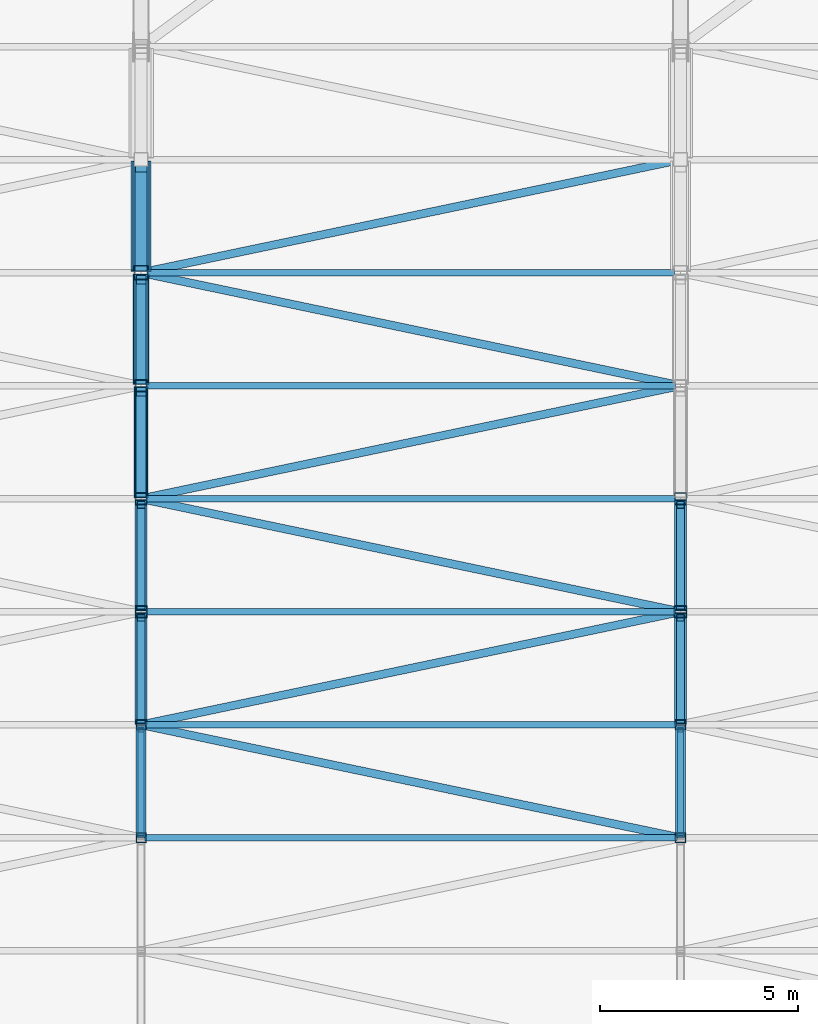
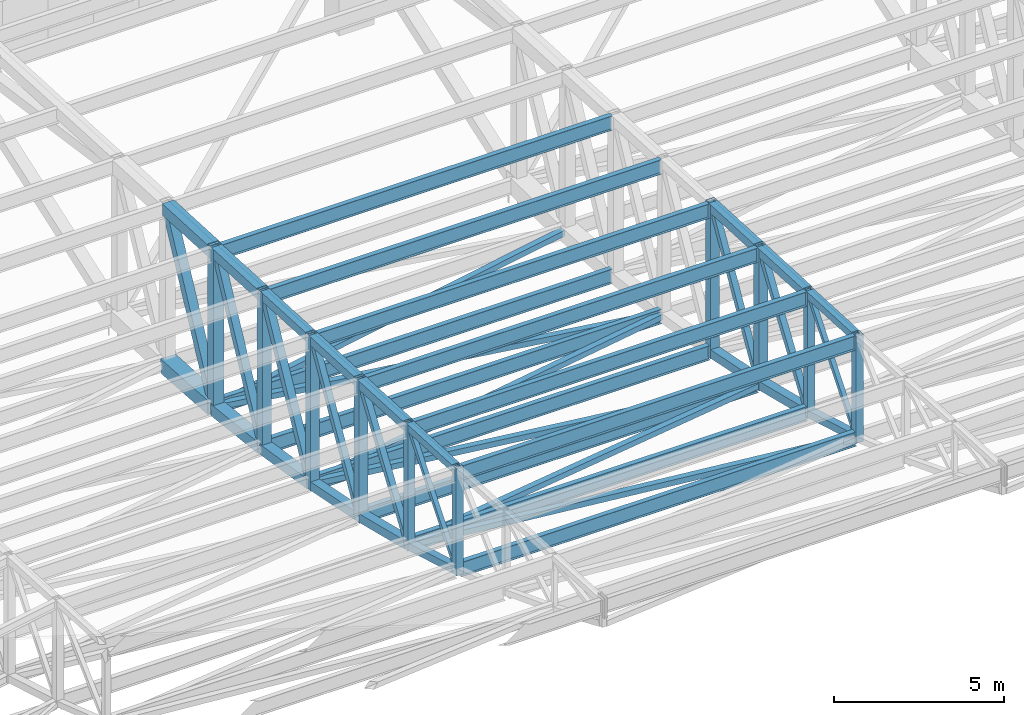
# One storey, part 80 of 278: 28 beams, 27 members.
"""IFC4 building model written with IfcOpenShell, lengths in metres."""

from ifc_helpers import new_model, si_unit, direction, frame, origin, origin_2d, place, context, subcontext, project, spatial, hollow_rectangle, i_section, extrude, material, material_profile, profile_set, type_object, element, save


model = new_model("IFC4")

# Units and contexts
model_context = context("Model", 3, precision=1e-05, world=origin(), true_north=direction((0.0, 1.0)))
body_context = subcontext(model_context, "Body", "Model", "MODEL_VIEW")
ifc_project = project(units=[si_unit("LENGTHUNIT", "METRE"), si_unit("AREAUNIT", "SQUARE_METRE"), si_unit("VOLUMEUNIT", "CUBIC_METRE"), si_unit("PLANEANGLEUNIT", "RADIAN"), si_unit("MASSUNIT", "GRAM", prefix="KILO")], contexts=[model_context])

# Site, building, storey
site_placement = place(None, origin())
site = spatial("IfcSite", under=ifc_project, at=site_placement, CompositionType="ELEMENT")
building_placement = place(site_placement, origin())
building = spatial("IfcBuilding", under=site, at=building_placement, Name="Ogive Plaza Stadium", CompositionType="ELEMENT")
storey_placement = place(building_placement, frame((0.0, 0.0, 29.0)))
storey = spatial("IfcBuildingStorey", under=building, at=storey_placement, Name="Roof", CompositionType="ELEMENT", Elevation=29.0)

# Members
ifc_material_1 = material(Name="Steel ASTM A500 Grade C", Category="steel")
ifc_material_profile_1 = material_profile(ifc_material_1, hollow_rectangle(XDim=0.203125, YDim=0.203125, WallThickness=0.0087890625, at=origin_2d()), Name="HSS8X8X3/8")
ifc_profile_set_1 = profile_set([ifc_material_profile_1], Name="Steel ASTM A500 Grade C")
member_type_1 = type_object("IfcMemberType", Name="Roof plan brace HSS8X8X3/8", PredefinedType="BRACE", material=ifc_profile_set_1)
member_1_placement = place(storey_placement, frame((-6.89306640625, 72.569580078125, 3.269775390625), z_axis=(-0.977081723689, 0.204756162013, -0.058191230868), x_axis=(-0.205103719581, -0.978740243483, 0.0)))
element("IfcMember", 1, at=member_1_placement, inside=storey, type_object=member_type_1, Name="ROOF BRACE B33 4", PredefinedType="BRACE", context=body_context, shape_type="SweptSolid", body=[
    extrude(hollow_rectangle(XDim=0.203125, YDim=0.203125, WallThickness=0.0087890625, at=origin_2d()), origin(), (0.0, 0.0, 1.0), 13.702392578125),
])
member_2_placement = place(storey_placement, frame((-20.281494140625, 75.4248046875, 2.459228515625), z_axis=(0.977474612888, 0.204849020574, -0.05079625901), x_axis=(-0.205113814972, 0.97873812785, 0.0)))
element("IfcMember", 2, at=member_2_placement, inside=storey, type_object=member_type_1, Name="ROOF BRACE B33 5", PredefinedType="BRACE", context=body_context, shape_type="SweptSolid", body=[
    extrude(hollow_rectangle(XDim=0.203125, YDim=0.203125, WallThickness=0.0087890625, at=origin_2d()), origin(), (0.0, 0.0, 1.0), 13.64501953125),
])
member_3_placement = place(storey_placement, frame((-6.94384765625, 78.280029296875, 1.752685546875), z_axis=(-0.977965523229, 0.204948228106, -0.039744926357), x_axis=(-0.205110294312, -0.978738865667, 0.0)))
element("IfcMember", 3, at=member_3_placement, inside=storey, type_object=member_type_1, Name="ROOF BRACE B33 6", PredefinedType="BRACE", context=body_context, shape_type="SweptSolid", body=[
    extrude(hollow_rectangle(XDim=0.203125, YDim=0.203125, WallThickness=0.0087890625, at=origin_2d()), origin(), (0.0, 0.0, 1.0), 13.6123046875),
])
member_4_placement = place(storey_placement, frame((-20.256103515625, 81.130126953125, 1.201416015625), z_axis=(0.978282447902, 0.205014644711, -0.030536004664), x_axis=(-0.205110294312, 0.978738865667, 0.0)))
element("IfcMember", 4, at=member_4_placement, inside=storey, type_object=member_type_1, Name="ROOF BRACE B33 7", PredefinedType="BRACE", context=body_context, shape_type="SweptSolid", body=[
    extrude(hollow_rectangle(XDim=0.203125, YDim=0.203125, WallThickness=0.0087890625, at=origin_2d()), origin(), (0.0, 0.0, 1.0), 13.607666015625),
])
member_5_placement = place(storey_placement, frame((-6.94384765625, 83.980224609375, 0.778564453125), z_axis=(-0.978554365022, 0.205067940633, -0.019454933079), x_axis=(-0.205106760189, -0.978739606292, 0.0)))
element("IfcMember", 5, at=member_5_placement, inside=storey, type_object=member_type_1, Name="ROOF BRACE B33 8", PredefinedType="BRACE", context=body_context, shape_type="SweptSolid", body=[
    extrude(hollow_rectangle(XDim=0.203125, YDim=0.203125, WallThickness=0.0087890625, at=origin_2d()), origin(), (0.0, 0.0, 1.0), 13.578125),
])
member_6_placement = place(storey_placement, frame((-20.230712890625, 86.83544921875, 0.50927734375), z_axis=(0.9786892756, 0.205092509512, -0.010215887981), x_axis=(-0.205103212524, 0.978740349742, 0.0)))
element("IfcMember", 6, at=member_6_placement, inside=storey, type_object=member_type_1, Name="ROOF BRACE B33 9", PredefinedType="BRACE", context=body_context, shape_type="SweptSolid", body=[
    extrude(hollow_rectangle(XDim=0.203125, YDim=0.203125, WallThickness=0.0087890625, at=origin_2d()), origin(), (0.0, 0.0, 1.0), 13.55029296875),
])
ifc_material_2 = material(Name="Steel ASTM A992 Grade 50", Category="steel")
ifc_material_profile_2 = material_profile(ifc_material_2, i_section(OverallWidth=0.1650390625, OverallDepth=0.524658203125, WebThickness=0.0087890625, FlangeThickness=0.011474609375, at=origin_2d()), Name="W21X44")
ifc_profile_set_2 = profile_set([ifc_material_profile_2], Name="Steel ASTM A992 Grade 50")
member_type_2 = type_object("IfcMemberType", Name="Roof plan strut W21X44", PredefinedType="STRUT", material=ifc_profile_set_2)
member_7_placement = place(storey_placement, frame((-20.328369140625, 72.550048828125, 3.275146484375), z_axis=(1.0, 0.0, 0.0), x_axis=(0.0, 1.0, 0.0)))
element("IfcMember", 7, at=member_7_placement, inside=storey, type_object=member_type_2, Name="ROOF STRUT B33 3", PredefinedType="STRUT", context=body_context, shape_type="SweptSolid", body=[
    extrude(i_section(OverallWidth=0.1650390625, OverallDepth=0.524658203125, WebThickness=0.0087890625, FlangeThickness=0.011474609375, at=origin_2d()), origin(), (0.0, 0.0, 1.0), 13.456787109375),
])
member_8_placement = place(storey_placement, frame((-20.302978515625, 75.39990234375, 2.46533203125), z_axis=(1.0, 0.0, 0.0), x_axis=(0.0, 1.0, 0.0)))
element("IfcMember", 8, at=member_8_placement, inside=storey, type_object=member_type_2, Name="ROOF STRUT B33 4", PredefinedType="STRUT", context=body_context, shape_type="SweptSolid", body=[
    extrude(i_section(OverallWidth=0.1650390625, OverallDepth=0.524658203125, WebThickness=0.0087890625, FlangeThickness=0.011474609375, at=origin_2d()), origin(), (0.0, 0.0, 1.0), 13.406005859375),
])
for number, where, z_axis, x_axis, name in (
    (9, (-20.277587890625, 78.25, 1.758544921875), (1.0, 0.0, 0.0), (0.0, 1.0, 0.0), "ROOF STRUT B33 5"),
    (10, (-20.277587890625, 81.10009765625, 1.205810546875), (1.0, 0.0, 0.0), (0.0, 1.0, 0.0), "ROOF STRUT B33 6"),
    (11, (-20.277587890625, 83.949951171875, 0.781494140625), (1.0, 0.0, 0.0), (0.0, 1.0, 0.0), "ROOF STRUT B33 7"),
):
    element("IfcMember", number, at=place(storey_placement, frame(where, z_axis=z_axis, x_axis=x_axis)), inside=storey, type_object=member_type_2, Name=name, PredefinedType="STRUT", context=body_context, shape_type="SweptSolid", body=[
        extrude(i_section(OverallWidth=0.1650390625, OverallDepth=0.524658203125, WebThickness=0.0087890625, FlangeThickness=0.011474609375, at=origin_2d()), origin(), (0.0, 0.0, 1.0), 13.355224609375),
    ])
member_9_placement = place(storey_placement, frame((-20.252197265625, 86.800048828125, 0.510986328125), z_axis=(1.0, 0.0, 0.0), x_axis=(0.0, 1.0, 0.0)))
element("IfcMember", 12, at=member_9_placement, inside=storey, type_object=member_type_2, Name="ROOF STRUT B33 8", PredefinedType="STRUT", context=body_context, shape_type="SweptSolid", body=[
    extrude(i_section(OverallWidth=0.1650390625, OverallDepth=0.524658203125, WebThickness=0.0087890625, FlangeThickness=0.011474609375, at=origin_2d()), origin(), (0.0, 0.0, 1.0), 13.304443359375),
])
ifc_material_3 = material(Name="Steel ASTM A992 Grade 50", Category="steel")
ifc_material_profile_3 = material_profile(ifc_material_3, i_section(OverallWidth=0.1650390625, OverallDepth=0.524658203125, WebThickness=0.0087890625, FlangeThickness=0.011474609375, at=origin_2d()), Name="W21X44")
ifc_profile_set_3 = profile_set([ifc_material_profile_3], Name="Steel ASTM A992 Grade 50")
member_type_3 = type_object("IfcMemberType", Name="Roof purlin W21X44", PredefinedType="PURLIN", material=ifc_profile_set_3)
member_10_placement = place(storey_placement, frame((-20.328369140625, 72.550048828125, 6.735107421875), z_axis=(1.0, 0.0, 0.0), x_axis=(0.0, 1.0, 0.0)))
element("IfcMember", 13, at=member_10_placement, inside=storey, type_object=member_type_3, Name="ROOF PURLIN B33 3", PredefinedType="PURLIN", context=body_context, shape_type="SweptSolid", body=[
    extrude(i_section(OverallWidth=0.1650390625, OverallDepth=0.524658203125, WebThickness=0.0087890625, FlangeThickness=0.011474609375, at=origin_2d()), origin(), (0.0, 0.0, 1.0), 13.456787109375),
])
member_11_placement = place(storey_placement, frame((-20.302978515625, 75.39990234375, 6.592529296875), z_axis=(1.0, 0.0, 0.0), x_axis=(0.0, 1.0, 0.0)))
element("IfcMember", 14, at=member_11_placement, inside=storey, type_object=member_type_3, Name="ROOF PURLIN B33 4", PredefinedType="PURLIN", context=body_context, shape_type="SweptSolid", body=[
    extrude(i_section(OverallWidth=0.1650390625, OverallDepth=0.524658203125, WebThickness=0.0087890625, FlangeThickness=0.011474609375, at=origin_2d()), origin(), (0.0, 0.0, 1.0), 13.406005859375),
])
for number, where, z_axis, x_axis, name in (
    (15, (-20.277587890625, 78.25, 6.4501953125), (1.0, 0.0, 0.0), (0.0, 1.0, 0.0), "ROOF PURLIN B33 5"),
    (16, (-20.277587890625, 81.10009765625, 6.3076171875), (1.0, 0.0, 0.0), (0.0, 1.0, 0.0), "ROOF PURLIN B33 6"),
    (17, (-20.277587890625, 83.949951171875, 6.1650390625), (1.0, 0.0, 0.0), (0.0, 1.0, 0.0), "ROOF PURLIN B33 7"),
):
    element("IfcMember", number, at=place(storey_placement, frame(where, z_axis=z_axis, x_axis=x_axis)), inside=storey, type_object=member_type_3, Name=name, PredefinedType="PURLIN", context=body_context, shape_type="SweptSolid", body=[
        extrude(i_section(OverallWidth=0.1650390625, OverallDepth=0.524658203125, WebThickness=0.0087890625, FlangeThickness=0.011474609375, at=origin_2d()), origin(), (0.0, 0.0, 1.0), 13.355224609375),
    ])
member_12_placement = place(storey_placement, frame((-20.252197265625, 86.800048828125, 6.022705078125), z_axis=(1.0, 0.0, 0.0), x_axis=(0.0, 1.0, 0.0)))
element("IfcMember", 18, at=member_12_placement, inside=storey, type_object=member_type_3, Name="ROOF PURLIN B33 8", PredefinedType="PURLIN", context=body_context, shape_type="SweptSolid", body=[
    extrude(i_section(OverallWidth=0.1650390625, OverallDepth=0.524658203125, WebThickness=0.0087890625, FlangeThickness=0.011474609375, at=origin_2d()), origin(), (0.0, 0.0, 1.0), 13.304443359375),
])

# Beams
ifc_material_4 = material(Name="Steel ASTM A500 Grade C", Category="steel")
ifc_material_profile_4 = material_profile(ifc_material_4, hollow_rectangle(XDim=0.25390625, YDim=0.25390625, WallThickness=0.01171875, at=origin_2d()), Name="HSS10X10X1/2")
ifc_profile_set_4 = profile_set([ifc_material_profile_4], Name="Steel ASTM A500 Grade C")
beam_type_1 = type_object("IfcBeamType", Name="Roof truss bottom chord HSS10X10X1/2", PredefinedType="BEAM", material=ifc_profile_set_4)
for number, where, z_axis, x_axis, name in (
    (19, (-20.39990234375, 72.60009765625, 3.265869140625), (0.0, 0.959640437259, -0.281229854705), (-1.0, 0.0, 0.0), "ROOF TRUSS T33 BOTTOM CHORD 4"),
    (20, (-6.800048828125, 72.60009765625, 3.265869140625), (0.0, 0.959640437259, -0.281229854705), (-1.0, 0.0, 0.0), "ROOF TRUSS T34 BOTTOM CHORD 4"),
):
    element("IfcBeam", number, at=place(storey_placement, frame(where, z_axis=z_axis, x_axis=x_axis)), inside=storey, type_object=beam_type_1, Name=name, PredefinedType="BEAM", context=body_context, shape_type="SweptSolid", body=[
        extrude(hollow_rectangle(XDim=0.25390625, YDim=0.25390625, WallThickness=0.01171875, at=origin_2d()), origin(), (0.0, 0.0, 1.0), 2.86572265625),
    ])
ifc_material_5 = material(Name="Steel ASTM A500 Grade C", Category="steel")
ifc_material_profile_5 = material_profile(ifc_material_5, hollow_rectangle(XDim=0.3046875, YDim=0.3046875, WallThickness=0.0146484375, at=origin_2d()), Name="HSS12X12X5/8")
ifc_profile_set_5 = profile_set([ifc_material_profile_5], Name="Steel ASTM A500 Grade C")
beam_type_2 = type_object("IfcBeamType", Name="Roof truss bottom chord HSS12X12X5/8", PredefinedType="BEAM", material=ifc_profile_set_5)
beam_1_placement = place(storey_placement, frame((-20.39990234375, 75.449951171875, 2.45751953125), z_axis=(0.0, 0.970607032995, -0.240669872439), x_axis=(-1.0, 0.0, 0.0)))
element("IfcBeam", 21, at=beam_1_placement, inside=storey, type_object=beam_type_2, Name="ROOF TRUSS T33 BOTTOM CHORD 5", PredefinedType="BEAM", context=body_context, shape_type="SweptSolid", body=[
    extrude(hollow_rectangle(XDim=0.3046875, YDim=0.3046875, WallThickness=0.0146484375, at=origin_2d()), origin(), (0.0, 0.0, 1.0), 2.833251953125),
])
beam_2_placement = place(storey_placement, frame((-20.39990234375, 78.300048828125, 1.751708984375), z_axis=(0.0, 0.980021250437, -0.19889280704), x_axis=(-1.0, 0.0, 0.0)))
element("IfcBeam", 22, at=beam_2_placement, inside=storey, type_object=beam_type_2, Name="ROOF TRUSS T33 BOTTOM CHORD 6", PredefinedType="BEAM", context=body_context, shape_type="SweptSolid", body=[
    extrude(hollow_rectangle(XDim=0.3046875, YDim=0.3046875, WallThickness=0.0146484375, at=origin_2d()), origin(), (0.0, 0.0, 1.0), 2.80615234375),
])
beam_3_placement = place(storey_placement, frame((-6.800048828125, 75.449951171875, 2.45751953125), z_axis=(0.0, 0.970607032995, -0.240669872439), x_axis=(-1.0, 0.0, 0.0)))
element("IfcBeam", 23, at=beam_3_placement, inside=storey, type_object=beam_type_2, Name="ROOF TRUSS T34 BOTTOM CHORD 5", PredefinedType="BEAM", context=body_context, shape_type="SweptSolid", body=[
    extrude(hollow_rectangle(XDim=0.3046875, YDim=0.3046875, WallThickness=0.0146484375, at=origin_2d()), origin(), (0.0, 0.0, 1.0), 2.833251953125),
])
beam_4_placement = place(storey_placement, frame((-6.800048828125, 78.300048828125, 1.751708984375), z_axis=(0.0, 0.980021250437, -0.19889280704), x_axis=(-1.0, 0.0, 0.0)))
element("IfcBeam", 24, at=beam_4_placement, inside=storey, type_object=beam_type_2, Name="ROOF TRUSS T34 BOTTOM CHORD 6", PredefinedType="BEAM", context=body_context, shape_type="SweptSolid", body=[
    extrude(hollow_rectangle(XDim=0.3046875, YDim=0.3046875, WallThickness=0.0146484375, at=origin_2d()), origin(), (0.0, 0.0, 1.0), 2.80615234375),
])
ifc_material_6 = material(Name="Steel ASTM A500 Grade C", Category="steel")
ifc_material_profile_6 = material_profile(ifc_material_6, hollow_rectangle(XDim=0.355712890625, YDim=0.355712890625, WallThickness=0.0146484375, at=origin_2d()), Name="HSS14X14X5/8")
ifc_profile_set_6 = profile_set([ifc_material_profile_6], Name="Steel ASTM A500 Grade C")
beam_type_3 = type_object("IfcBeamType", Name="Roof truss bottom chord HSS14X14X5/8", PredefinedType="BEAM", material=ifc_profile_set_6)
beam_5_placement = place(storey_placement, frame((-20.39990234375, 81.14990234375, 1.2001953125), z_axis=(0.0, 0.987770074518, -0.155917541947), x_axis=(-1.0, 0.0, 0.0)))
element("IfcBeam", 25, at=beam_5_placement, inside=storey, type_object=beam_type_3, Name="ROOF TRUSS T33 BOTTOM CHORD 7", PredefinedType="BEAM", context=body_context, shape_type="SweptSolid", body=[
    extrude(hollow_rectangle(XDim=0.355712890625, YDim=0.355712890625, WallThickness=0.0146484375, at=origin_2d()), origin(), (0.0, 0.0, 1.0), 2.783935546875),
])
ifc_material_7 = material(Name="Steel ASTM A500 Grade C", Category="steel")
ifc_material_profile_7 = material_profile(ifc_material_7, hollow_rectangle(XDim=0.406494140625, YDim=0.406494140625, WallThickness=0.0146484375, at=origin_2d()), Name="HSS16X16X5/8")
ifc_profile_set_7 = profile_set([ifc_material_profile_7], Name="Steel ASTM A500 Grade C")
beam_type_4 = type_object("IfcBeamType", Name="Roof truss bottom chord HSS16X16X5/8", PredefinedType="BEAM", material=ifc_profile_set_7)
beam_6_placement = place(storey_placement, frame((-20.39990234375, 84.0, 0.777099609375), z_axis=(0.0, 0.993703844406, -0.112038696946), x_axis=(-1.0, 0.0, 0.0)))
element("IfcBeam", 26, at=beam_6_placement, inside=storey, type_object=beam_type_4, Name="ROOF TRUSS T33 BOTTOM CHORD 8", PredefinedType="BEAM", context=body_context, shape_type="SweptSolid", body=[
    extrude(hollow_rectangle(XDim=0.406494140625, YDim=0.406494140625, WallThickness=0.0146484375, at=origin_2d()), origin(), (0.0, 0.0, 1.0), 2.767333984375),
])
ifc_material_8 = material(Name="Steel ASTM A500 Grade C", Category="steel")
ifc_material_profile_8 = material_profile(ifc_material_8, hollow_rectangle(XDim=0.508056640625, YDim=0.508056640625, WallThickness=0.0146484375, at=origin_2d()), Name="HSS20X20X5/8")
ifc_profile_set_8 = profile_set([ifc_material_profile_8], Name="Steel ASTM A500 Grade C")
beam_type_5 = type_object("IfcBeamType", Name="Roof truss bottom chord HSS20X20X5/8", PredefinedType="BEAM", material=ifc_profile_set_8)
beam_7_placement = place(storey_placement, frame((-20.39990234375, 86.85009765625, 0.50830078125), z_axis=(0.0, 0.997719620387, -0.06749488199), x_axis=(-1.0, 0.0, 0.0)))
element("IfcBeam", 27, at=beam_7_placement, inside=storey, type_object=beam_type_5, Name="ROOF TRUSS T33 BOTTOM CHORD 9", PredefinedType="BEAM", context=body_context, shape_type="SweptSolid", body=[
    extrude(hollow_rectangle(XDim=0.508056640625, YDim=0.508056640625, WallThickness=0.0146484375, at=origin_2d()), origin(), (0.0, 0.0, 1.0), 2.75634765625),
])

# Members
ifc_material_9 = material(Name="Steel ASTM A500 Grade C", Category="steel")
ifc_material_profile_9 = material_profile(ifc_material_9, hollow_rectangle(XDim=0.25390625, YDim=0.25390625, WallThickness=0.0087890625, at=origin_2d()), Name="HSS10X10X3/8")
ifc_profile_set_9 = profile_set([ifc_material_profile_9], Name="Steel ASTM A500 Grade C")
member_type_4 = type_object("IfcMemberType", Name="Roof truss diagonal HSS10X10X3/8", PredefinedType="BRACE", material=ifc_profile_set_9)
member_13_placement = place(storey_placement, frame((-20.39990234375, 81.25244140625, 1.383544921875), z_axis=(0.0, 0.473127942579, 0.880993728667), x_axis=(-1.0, 0.0, 0.0)))
element("IfcMember", 28, at=member_13_placement, inside=storey, type_object=member_type_4, Name="ROOF TRUSS T33 DIAGONAL 7", PredefinedType="BRACE", context=body_context, shape_type="SweptSolid", body=[
    extrude(hollow_rectangle(XDim=0.25390625, YDim=0.25390625, WallThickness=0.0087890625, at=origin_2d()), origin(), (0.0, 0.0, 1.0), 5.37939453125),
])
member_14_placement = place(storey_placement, frame((-20.39990234375, 84.102294921875, 0.984619140625), z_axis=(0.0, 0.454062843231, 0.890969659639), x_axis=(-1.0, 0.0, 0.0)))
element("IfcMember", 29, at=member_14_placement, inside=storey, type_object=member_type_4, Name="ROOF TRUSS T33 DIAGONAL 8", PredefinedType="BRACE", context=body_context, shape_type="SweptSolid", body=[
    extrude(hollow_rectangle(XDim=0.25390625, YDim=0.25390625, WallThickness=0.0087890625, at=origin_2d()), origin(), (0.0, 0.0, 1.0), 5.550048828125),
])
ifc_material_10 = material(Name="Steel ASTM A500 Grade C", Category="steel")
ifc_material_profile_10 = material_profile(ifc_material_10, hollow_rectangle(XDim=0.3046875, YDim=0.3046875, WallThickness=0.0087890625, at=origin_2d()), Name="HSS12X12X3/8")
ifc_profile_set_10 = profile_set([ifc_material_profile_10], Name="Steel ASTM A500 Grade C")
member_type_5 = type_object("IfcMemberType", Name="Roof truss diagonal HSS12X12X3/8", PredefinedType="BRACE", material=ifc_profile_set_10)
member_15_placement = place(storey_placement, frame((-20.39990234375, 86.977783203125, 0.764892578125), z_axis=(0.0, 0.448477330766, 0.893794206621), x_axis=(-1.0, 0.0, 0.0)))
element("IfcMember", 30, at=member_15_placement, inside=storey, type_object=member_type_5, Name="ROOF TRUSS T33 DIAGONAL 9", PredefinedType="BRACE", context=body_context, shape_type="SweptSolid", body=[
    extrude(hollow_rectangle(XDim=0.3046875, YDim=0.3046875, WallThickness=0.0087890625, at=origin_2d()), origin(), (0.0, 0.0, 1.0), 5.56201171875),
])
ifc_material_11 = material(Name="Steel ASTM A500 Grade C", Category="steel")
ifc_material_profile_11 = material_profile(ifc_material_11, hollow_rectangle(XDim=0.15234375, YDim=0.15234375, WallThickness=0.0087890625, at=origin_2d()), Name="HSS6X6X3/8")
ifc_profile_set_11 = profile_set([ifc_material_profile_11], Name="Steel ASTM A500 Grade C")
member_type_6 = type_object("IfcMemberType", Name="Roof truss diagonal HSS6X6X3/8", PredefinedType="BRACE", material=ifc_profile_set_11)
for number, where, z_axis, x_axis, name in (
    (31, (-20.39990234375, 72.677001953125, 3.40234375), (0.0, 0.630150764463, 0.77647280316), (-1.0, 0.0, 0.0), "ROOF TRUSS T33 DIAGONAL 4"),
    (32, (-6.800048828125, 72.677001953125, 3.40234375), (0.0, 0.630150764463, 0.77647280316), (-1.0, 0.0, 0.0), "ROOF TRUSS T34 DIAGONAL 4"),
):
    element("IfcMember", number, at=place(storey_placement, frame(where, z_axis=z_axis, x_axis=x_axis)), inside=storey, type_object=member_type_6, Name=name, PredefinedType="BRACE", context=body_context, shape_type="SweptSolid", body=[
        extrude(hollow_rectangle(XDim=0.15234375, YDim=0.15234375, WallThickness=0.0087890625, at=origin_2d()), origin(), (0.0, 0.0, 1.0), 4.11962890625),
    ])
ifc_material_12 = material(Name="Steel ASTM A500 Grade C", Category="steel")
ifc_material_profile_12 = material_profile(ifc_material_12, hollow_rectangle(XDim=0.203125, YDim=0.203125, WallThickness=0.0087890625, at=origin_2d()), Name="HSS8X8X3/8")
ifc_profile_set_12 = profile_set([ifc_material_profile_12], Name="Steel ASTM A500 Grade C")
member_type_7 = type_object("IfcMemberType", Name="Roof truss diagonal HSS8X8X3/8", PredefinedType="BRACE", material=ifc_profile_set_12)
member_16_placement = place(storey_placement, frame((-20.39990234375, 75.527099609375, 2.617919921875), z_axis=(0.0, 0.561338440243, 0.827586343233), x_axis=(-1.0, 0.0, 0.0)))
element("IfcMember", 33, at=member_16_placement, inside=storey, type_object=member_type_7, Name="ROOF TRUSS T33 DIAGONAL 5", PredefinedType="BRACE", context=body_context, shape_type="SweptSolid", body=[
    extrude(hollow_rectangle(XDim=0.203125, YDim=0.203125, WallThickness=0.0087890625, at=origin_2d()), origin(), (0.0, 0.0, 1.0), 4.579345703125),
])
member_17_placement = place(storey_placement, frame((-20.39990234375, 78.40234375, 1.9111328125), z_axis=(0.0, 0.504659398762, 0.863318534054), x_axis=(-1.0, 0.0, 0.0)))
element("IfcMember", 34, at=member_17_placement, inside=storey, type_object=member_type_7, Name="ROOF TRUSS T33 DIAGONAL 6", PredefinedType="BRACE", context=body_context, shape_type="SweptSolid", body=[
    extrude(hollow_rectangle(XDim=0.203125, YDim=0.203125, WallThickness=0.0087890625, at=origin_2d()), origin(), (0.0, 0.0, 1.0), 5.043212890625),
])
member_18_placement = place(storey_placement, frame((-6.800048828125, 75.527099609375, 2.617919921875), z_axis=(0.0, 0.561338440243, 0.827586343233), x_axis=(-1.0, 0.0, 0.0)))
element("IfcMember", 35, at=member_18_placement, inside=storey, type_object=member_type_7, Name="ROOF TRUSS T34 DIAGONAL 5", PredefinedType="BRACE", context=body_context, shape_type="SweptSolid", body=[
    extrude(hollow_rectangle(XDim=0.203125, YDim=0.203125, WallThickness=0.0087890625, at=origin_2d()), origin(), (0.0, 0.0, 1.0), 4.579345703125),
])
member_19_placement = place(storey_placement, frame((-6.800048828125, 78.40234375, 1.9111328125), z_axis=(0.0, 0.504659398762, 0.863318534054), x_axis=(-1.0, 0.0, 0.0)))
element("IfcMember", 36, at=member_19_placement, inside=storey, type_object=member_type_7, Name="ROOF TRUSS T34 DIAGONAL 6", PredefinedType="BRACE", context=body_context, shape_type="SweptSolid", body=[
    extrude(hollow_rectangle(XDim=0.203125, YDim=0.203125, WallThickness=0.0087890625, at=origin_2d()), origin(), (0.0, 0.0, 1.0), 5.043212890625),
])

# Beams
ifc_material_13 = material(Name="Steel ASTM A500 Grade C", Category="steel")
ifc_material_profile_13 = material_profile(ifc_material_13, hollow_rectangle(XDim=0.25390625, YDim=0.25390625, WallThickness=0.01171875, at=origin_2d()), Name="HSS10X10X1/2")
ifc_profile_set_13 = profile_set([ifc_material_profile_13], Name="Steel ASTM A500 Grade C")
beam_type_6 = type_object("IfcBeamType", Name="Roof truss post HSS10X10X1/2", PredefinedType="BEAM", material=ifc_profile_set_13)
beam_8_placement = place(storey_placement, frame((-20.39990234375, 72.550048828125, 3.148193359375), z_axis=(0.0, 0.0, 1.0), x_axis=(-1.0, 0.0, 0.0)))
element("IfcBeam", 37, at=beam_8_placement, inside=storey, type_object=beam_type_6, Name="ROOF TRUSS T33 POST 4", PredefinedType="BEAM", context=body_context, shape_type="SweptSolid", body=[
    extrude(hollow_rectangle(XDim=0.25390625, YDim=0.25390625, WallThickness=0.01171875, at=origin_2d()), origin(), (0.0, 0.0, 1.0), 3.849365234375),
])
beam_9_placement = place(storey_placement, frame((-20.39990234375, 75.39990234375, 2.31298828125), z_axis=(0.0, 0.0, 1.0), x_axis=(-1.0, 0.0, 0.0)))
element("IfcBeam", 38, at=beam_9_placement, inside=storey, type_object=beam_type_6, Name="ROOF TRUSS T33 POST 5", PredefinedType="BEAM", context=body_context, shape_type="SweptSolid", body=[
    extrude(hollow_rectangle(XDim=0.25390625, YDim=0.25390625, WallThickness=0.01171875, at=origin_2d()), origin(), (0.0, 0.0, 1.0), 4.5419921875),
])
beam_10_placement = place(storey_placement, frame((-6.800048828125, 72.550048828125, 3.148193359375), z_axis=(0.0, 0.0, 1.0), x_axis=(-1.0, 0.0, 0.0)))
element("IfcBeam", 39, at=beam_10_placement, inside=storey, type_object=beam_type_6, Name="ROOF TRUSS T34 POST 4", PredefinedType="BEAM", context=body_context, shape_type="SweptSolid", body=[
    extrude(hollow_rectangle(XDim=0.25390625, YDim=0.25390625, WallThickness=0.01171875, at=origin_2d()), origin(), (0.0, 0.0, 1.0), 3.849365234375),
])
beam_11_placement = place(storey_placement, frame((-6.800048828125, 75.39990234375, 2.31298828125), z_axis=(0.0, 0.0, 1.0), x_axis=(-1.0, 0.0, 0.0)))
element("IfcBeam", 40, at=beam_11_placement, inside=storey, type_object=beam_type_6, Name="ROOF TRUSS T34 POST 5", PredefinedType="BEAM", context=body_context, shape_type="SweptSolid", body=[
    extrude(hollow_rectangle(XDim=0.25390625, YDim=0.25390625, WallThickness=0.01171875, at=origin_2d()), origin(), (0.0, 0.0, 1.0), 4.5419921875),
])
ifc_material_14 = material(Name="Steel ASTM A500 Grade C", Category="steel")
ifc_material_profile_14 = material_profile(ifc_material_14, hollow_rectangle(XDim=0.3046875, YDim=0.3046875, WallThickness=0.01171875, at=origin_2d()), Name="HSS12X12X1/2")
ifc_profile_set_14 = profile_set([ifc_material_profile_14], Name="Steel ASTM A500 Grade C")
beam_type_7 = type_object("IfcBeamType", Name="Roof truss post HSS12X12X1/2", PredefinedType="BEAM", material=ifc_profile_set_14)
for number, where, z_axis, x_axis, name in (
    (41, (-20.39990234375, 78.25, 1.606201171875), (0.0, 0.0, 1.0), (-1.0, 0.0, 0.0), "ROOF TRUSS T33 POST 6"),
    (42, (-6.800048828125, 78.25, 1.606201171875), (0.0, 0.0, 1.0), (-1.0, 0.0, 0.0), "ROOF TRUSS T34 POST 6"),
):
    element("IfcBeam", number, at=place(storey_placement, frame(where, z_axis=z_axis, x_axis=x_axis)), inside=storey, type_object=beam_type_7, Name=name, PredefinedType="BEAM", context=body_context, shape_type="SweptSolid", body=[
        extrude(hollow_rectangle(XDim=0.3046875, YDim=0.3046875, WallThickness=0.01171875, at=origin_2d()), origin(), (0.0, 0.0, 1.0), 5.106201171875),
    ])
ifc_material_15 = material(Name="Steel ASTM A500 Grade C", Category="steel")
ifc_material_profile_15 = material_profile(ifc_material_15, hollow_rectangle(XDim=0.3046875, YDim=0.3046875, WallThickness=0.0146484375, at=origin_2d()), Name="HSS12X12X5/8")
ifc_profile_set_15 = profile_set([ifc_material_profile_15], Name="Steel ASTM A500 Grade C")
beam_type_8 = type_object("IfcBeamType", Name="Roof truss post HSS12X12X5/8", PredefinedType="BEAM", material=ifc_profile_set_15)
beam_12_placement = place(storey_placement, frame((-20.39990234375, 81.10009765625, 1.028076171875), z_axis=(0.0, 0.0, 1.0), x_axis=(-1.0, 0.0, 0.0)))
element("IfcBeam", 43, at=beam_12_placement, inside=storey, type_object=beam_type_8, Name="ROOF TRUSS T33 POST 7", PredefinedType="BEAM", context=body_context, shape_type="SweptSolid", body=[
    extrude(hollow_rectangle(XDim=0.3046875, YDim=0.3046875, WallThickness=0.0146484375, at=origin_2d()), origin(), (0.0, 0.0, 1.0), 5.5419921875),
])
beam_13_placement = place(storey_placement, frame((-20.39990234375, 83.949951171875, 0.578369140625), z_axis=(0.0, 0.0, 1.0), x_axis=(-1.0, 0.0, 0.0)))
element("IfcBeam", 44, at=beam_13_placement, inside=storey, type_object=beam_type_8, Name="ROOF TRUSS T33 POST 8", PredefinedType="BEAM", context=body_context, shape_type="SweptSolid", body=[
    extrude(hollow_rectangle(XDim=0.3046875, YDim=0.3046875, WallThickness=0.0146484375, at=origin_2d()), origin(), (0.0, 0.0, 1.0), 5.84912109375),
])
beam_14_placement = place(storey_placement, frame((-6.800048828125, 81.10009765625, 1.028076171875), z_axis=(0.0, 0.0, 1.0), x_axis=(-1.0, 0.0, 0.0)))
element("IfcBeam", 45, at=beam_14_placement, inside=storey, type_object=beam_type_8, Name="ROOF TRUSS T34 POST 7", PredefinedType="BEAM", context=body_context, shape_type="SweptSolid", body=[
    extrude(hollow_rectangle(XDim=0.3046875, YDim=0.3046875, WallThickness=0.0146484375, at=origin_2d()), origin(), (0.0, 0.0, 1.0), 5.5419921875),
])
ifc_material_16 = material(Name="Steel ASTM A500 Grade C", Category="steel")
ifc_material_profile_16 = material_profile(ifc_material_16, hollow_rectangle(XDim=0.355712890625, YDim=0.355712890625, WallThickness=0.0146484375, at=origin_2d()), Name="HSS14X14X5/8")
ifc_profile_set_16 = profile_set([ifc_material_profile_16], Name="Steel ASTM A500 Grade C")
beam_type_9 = type_object("IfcBeamType", Name="Roof truss post HSS14X14X5/8", PredefinedType="BEAM", material=ifc_profile_set_16)
beam_15_placement = place(storey_placement, frame((-20.39990234375, 86.800048828125, 0.257080078125), z_axis=(0.0, 0.0, 1.0), x_axis=(-1.0, 0.0, 0.0)))
element("IfcBeam", 46, at=beam_15_placement, inside=storey, type_object=beam_type_9, Name="ROOF TRUSS T33 POST 9", PredefinedType="BEAM", context=body_context, shape_type="SweptSolid", body=[
    extrude(hollow_rectangle(XDim=0.355712890625, YDim=0.355712890625, WallThickness=0.0146484375, at=origin_2d()), origin(), (0.0, 0.0, 1.0), 6.02783203125),
])
ifc_material_17 = material(Name="Steel ASTM A500 Grade C", Category="steel")
ifc_material_profile_17 = material_profile(ifc_material_17, hollow_rectangle(XDim=0.25390625, YDim=0.25390625, WallThickness=0.0087890625, at=origin_2d()), Name="HSS10X10X3/8")
ifc_profile_set_17 = profile_set([ifc_material_profile_17], Name="Steel ASTM A500 Grade C")
beam_type_10 = type_object("IfcBeamType", Name="Roof truss top chord HSS10X10X3/8", PredefinedType="BEAM", material=ifc_profile_set_17)
for number, where, z_axis, x_axis, name in (
    (47, (-20.39990234375, 72.60009765625, 6.867919921875), (0.0, 0.998748798523, -0.05000837379), (-1.0, 0.0, 0.0), "ROOF TRUSS T33 TOP CHORD 4"),
    (48, (-6.800048828125, 72.60009765625, 6.867919921875), (0.0, 0.998748798523, -0.05000837379), (-1.0, 0.0, 0.0), "ROOF TRUSS T34 TOP CHORD 4"),
):
    element("IfcBeam", number, at=place(storey_placement, frame(where, z_axis=z_axis, x_axis=x_axis)), inside=storey, type_object=beam_type_10, Name=name, PredefinedType="BEAM", context=body_context, shape_type="SweptSolid", body=[
        extrude(hollow_rectangle(XDim=0.25390625, YDim=0.25390625, WallThickness=0.0087890625, at=origin_2d()), origin(), (0.0, 0.0, 1.0), 2.75341796875),
    ])
ifc_material_18 = material(Name="Steel ASTM A500 Grade C", Category="steel")
ifc_material_profile_18 = material_profile(ifc_material_18, hollow_rectangle(XDim=0.3046875, YDim=0.3046875, WallThickness=0.01171875, at=origin_2d()), Name="HSS12X12X1/2")
ifc_profile_set_18 = profile_set([ifc_material_profile_18], Name="Steel ASTM A500 Grade C")
beam_type_11 = type_object("IfcBeamType", Name="Roof truss top chord HSS12X12X1/2", PredefinedType="BEAM", material=ifc_profile_set_18)
beam_16_placement = place(storey_placement, frame((-20.39990234375, 81.14990234375, 6.414794921875), z_axis=(0.0, 0.998753223187, -0.049919927615), x_axis=(-1.0, 0.0, 0.0)))
element("IfcBeam", 49, at=beam_16_placement, inside=storey, type_object=beam_type_11, Name="ROOF TRUSS T33 TOP CHORD 7", PredefinedType="BEAM", context=body_context, shape_type="SweptSolid", body=[
    extrude(hollow_rectangle(XDim=0.3046875, YDim=0.3046875, WallThickness=0.01171875, at=origin_2d()), origin(), (0.0, 0.0, 1.0), 2.75341796875),
])
ifc_material_19 = material(Name="Steel ASTM A500 Grade C", Category="steel")
ifc_material_profile_19 = material_profile(ifc_material_19, hollow_rectangle(XDim=0.3046875, YDim=0.3046875, WallThickness=0.0087890625, at=origin_2d()), Name="HSS12X12X3/8")
ifc_profile_set_19 = profile_set([ifc_material_profile_19], Name="Steel ASTM A500 Grade C")
beam_type_12 = type_object("IfcBeamType", Name="Roof truss top chord HSS12X12X3/8", PredefinedType="BEAM", material=ifc_profile_set_19)
for number, where, z_axis, x_axis, name in (
    (50, (-20.39990234375, 75.449951171875, 6.699951171875), (0.0, 0.998753223187, -0.049919927615), (-1.0, 0.0, 0.0), "ROOF TRUSS T33 TOP CHORD 5"),
    (51, (-20.39990234375, 78.300048828125, 6.557373046875), (0.0, 0.998753223187, -0.049919927615), (-1.0, 0.0, 0.0), "ROOF TRUSS T33 TOP CHORD 6"),
    (52, (-6.800048828125, 75.449951171875, 6.699951171875), (0.0, 0.998753223187, -0.049919927615), (-1.0, 0.0, 0.0), "ROOF TRUSS T34 TOP CHORD 5"),
    (53, (-6.800048828125, 78.300048828125, 6.557373046875), (0.0, 0.998753223187, -0.049919927615), (-1.0, 0.0, 0.0), "ROOF TRUSS T34 TOP CHORD 6"),
):
    element("IfcBeam", number, at=place(storey_placement, frame(where, z_axis=z_axis, x_axis=x_axis)), inside=storey, type_object=beam_type_12, Name=name, PredefinedType="BEAM", context=body_context, shape_type="SweptSolid", body=[
        extrude(hollow_rectangle(XDim=0.3046875, YDim=0.3046875, WallThickness=0.0087890625, at=origin_2d()), origin(), (0.0, 0.0, 1.0), 2.75341796875),
    ])
ifc_material_20 = material(Name="Steel ASTM A500 Grade C", Category="steel")
ifc_material_profile_20 = material_profile(ifc_material_20, hollow_rectangle(XDim=0.355712890625, YDim=0.355712890625, WallThickness=0.01171875, at=origin_2d()), Name="HSS14X14X1/2")
ifc_profile_set_20 = profile_set([ifc_material_profile_20], Name="Steel ASTM A500 Grade C")
beam_type_13 = type_object("IfcBeamType", Name="Roof truss top chord HSS14X14X1/2", PredefinedType="BEAM", material=ifc_profile_set_20)
beam_17_placement = place(storey_placement, frame((-20.39990234375, 84.0, 6.2470703125), z_axis=(0.0, 0.998748798523, -0.05000837379), x_axis=(-1.0, 0.0, 0.0)))
element("IfcBeam", 54, at=beam_17_placement, inside=storey, type_object=beam_type_13, Name="ROOF TRUSS T33 TOP CHORD 8", PredefinedType="BEAM", context=body_context, shape_type="SweptSolid", body=[
    extrude(hollow_rectangle(XDim=0.355712890625, YDim=0.355712890625, WallThickness=0.01171875, at=origin_2d()), origin(), (0.0, 0.0, 1.0), 2.75341796875),
])
ifc_material_21 = material(Name="Steel ASTM A500 Grade C", Category="steel")
ifc_material_profile_21 = material_profile(ifc_material_21, hollow_rectangle(XDim=0.406494140625, YDim=0.406494140625, WallThickness=0.01171875, at=origin_2d()), Name="HSS16X16X1/2")
ifc_profile_set_21 = profile_set([ifc_material_profile_21], Name="Steel ASTM A500 Grade C")
beam_type_14 = type_object("IfcBeamType", Name="Roof truss top chord HSS16X16X1/2", PredefinedType="BEAM", material=ifc_profile_set_21)
beam_18_placement = place(storey_placement, frame((-20.39990234375, 86.85009765625, 6.0791015625), z_axis=(0.0, 0.998753223187, -0.049919927615), x_axis=(-1.0, 0.0, 0.0)))
element("IfcBeam", 55, at=beam_18_placement, inside=storey, type_object=beam_type_14, Name="ROOF TRUSS T33 TOP CHORD 9", PredefinedType="BEAM", context=body_context, shape_type="SweptSolid", body=[
    extrude(hollow_rectangle(XDim=0.406494140625, YDim=0.406494140625, WallThickness=0.01171875, at=origin_2d()), origin(), (0.0, 0.0, 1.0), 2.75341796875),
])

save(model, "model.ifc")
